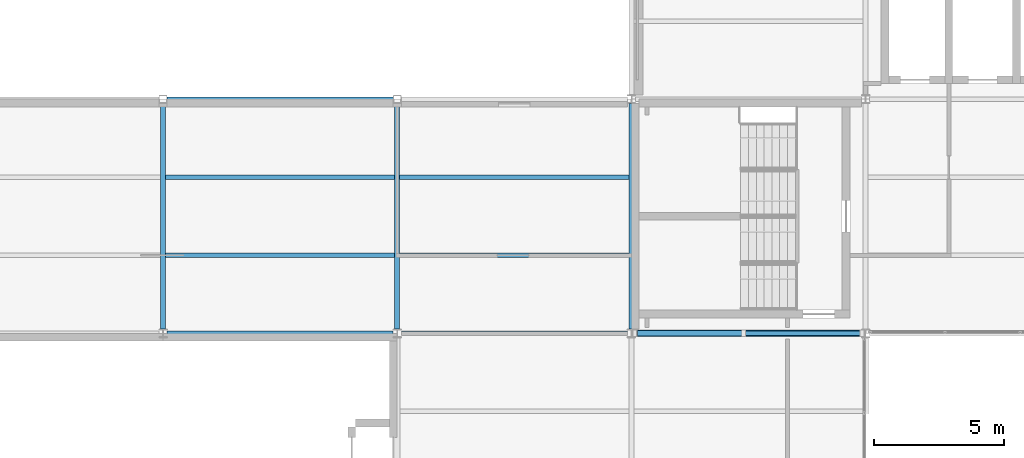
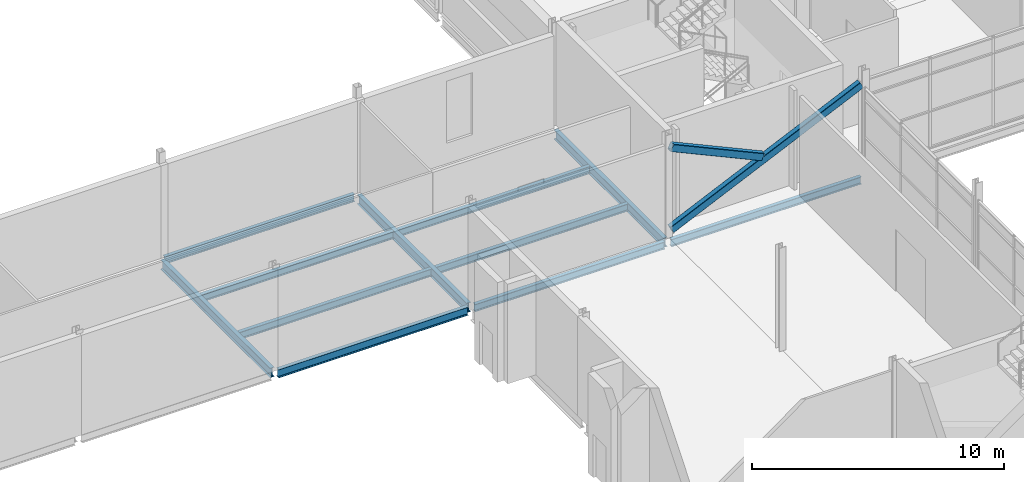
# One storey, part 40 of 112: 11 beams, 2 members.
"""IFC4 building model written with IfcOpenShell, lengths in metres."""

from ifc_helpers import new_model, si_unit, direction, frame, origin, origin_2d, place, context, subcontext, project, spatial, hollow_rectangle, i_section, extrude, material, material_profile, profile_set, type_object, element, save


model = new_model("IFC4")

# Units and contexts
model_context = context("Model", 3, precision=1e-05, world=origin(), true_north=direction((0.0, 1.0)))
body_context = subcontext(model_context, "Body", "Model", "MODEL_VIEW")
ifc_project = project(units=[si_unit("LENGTHUNIT", "METRE"), si_unit("AREAUNIT", "SQUARE_METRE"), si_unit("VOLUMEUNIT", "CUBIC_METRE"), si_unit("PLANEANGLEUNIT", "RADIAN"), si_unit("MASSUNIT", "GRAM", prefix="KILO")], contexts=[model_context])

# Site, building, storey
site_placement = place(None, origin())
site = spatial("IfcSite", under=ifc_project, at=site_placement, CompositionType="ELEMENT")
building_placement = place(site_placement, origin())
building = spatial("IfcBuilding", under=site, at=building_placement, Name="Shorebreak Coast Museum", CompositionType="ELEMENT")
storey_placement = place(building_placement, frame((0.0, 0.0, 6.0)))
storey = spatial("IfcBuildingStorey", under=building, at=storey_placement, Name="L01", CompositionType="ELEMENT", Elevation=6.0)

# Beams
ifc_material_1 = material(Name="Steel Grade 300", Category="steel")
ifc_material_profile_1 = material_profile(ifc_material_1, i_section(OverallWidth=0.1708984375, OverallDepth=0.355712890625, WebThickness=0.00732421875, FlangeThickness=0.011474609375, FilletRadius=0.011474609375, at=origin_2d()), Name="360UB50.7")
ifc_profile_set_1 = profile_set([ifc_material_profile_1], Name="Steel Grade 300")
beam_type_1 = type_object("IfcBeamType", Name="Floor girder east-west 360UB50.7", PredefinedType="BEAM", material=ifc_profile_set_1)
beam_1_placement = place(storey_placement, frame((45.155517578125, 81.0, -0.352783203125), z_axis=(1.0, 0.0, 0.0), x_axis=(0.0, 1.0, 0.0)))
element("IfcBeam", 1, at=beam_1_placement, inside=storey, type_object=beam_type_1, Name="Floor girder east-west L01 6K", PredefinedType="BEAM", context=body_context, shape_type="SweptSolid", body=[
    extrude(i_section(OverallWidth=0.1708984375, OverallDepth=0.355712890625, WebThickness=0.00732421875, FlangeThickness=0.011474609375, FilletRadius=0.011474609375, at=origin_2d()), origin(), (0.0, 0.0, 1.0), 8.68994140625),
])
beam_2_placement = place(storey_placement, frame((36.14990234375, 90.0, -0.352783203125), z_axis=(1.0, 0.0, 0.0), x_axis=(0.0, 1.0, 0.0)))
element("IfcBeam", 2, at=beam_2_placement, inside=storey, type_object=beam_type_1, Name="Floor girder east-west L01 5L", PredefinedType="BEAM", context=body_context, shape_type="SweptSolid", body=[
    extrude(i_section(OverallWidth=0.1708984375, OverallDepth=0.355712890625, WebThickness=0.00732421875, FlangeThickness=0.011474609375, FilletRadius=0.011474609375, at=origin_2d()), origin(), (0.0, 0.0, 1.0), 8.7001953125),
])
ifc_material_2 = material(Name="Steel Grade 300", Category="steel")
ifc_material_profile_2 = material_profile(ifc_material_2, i_section(OverallWidth=0.172119140625, OverallDepth=0.358642578125, WebThickness=0.008056640625, FlangeThickness=0.012939453125, FilletRadius=0.011474609375, at=origin_2d()), Name="360UB56.7")
ifc_profile_set_2 = profile_set([ifc_material_profile_2], Name="Steel Grade 300")
beam_type_2 = type_object("IfcBeamType", Name="Floor girder east-west 360UB56.7", PredefinedType="BEAM", material=ifc_profile_set_2)
beam_3_placement = place(storey_placement, frame((54.154541015625, 81.0, -0.354248046875), z_axis=(1.0, 0.0, 0.0), x_axis=(0.0, 1.0, 0.0)))
element("IfcBeam", 3, at=beam_3_placement, inside=storey, type_object=beam_type_2, Name="Floor girder east-west L01 7K", PredefinedType="BEAM", context=body_context, shape_type="SweptSolid", body=[
    extrude(i_section(OverallWidth=0.172119140625, OverallDepth=0.358642578125, WebThickness=0.008056640625, FlangeThickness=0.012939453125, FilletRadius=0.011474609375, at=origin_2d()), origin(), (0.0, 0.0, 1.0), 8.68994140625),
])
ifc_material_3 = material(Name="Steel Grade 300", Category="steel")
ifc_material_profile_3 = material_profile(ifc_material_3, i_section(OverallWidth=0.177978515625, OverallDepth=0.402587890625, WebThickness=0.007568359375, FlangeThickness=0.010986328125, FilletRadius=0.011474609375, at=origin_2d()), Name="410UB53.7")
ifc_profile_set_3 = profile_set([ifc_material_profile_3], Name="Steel Grade 300")
beam_type_3 = type_object("IfcBeamType", Name="Floor girder east-west 410UB53.7", PredefinedType="BEAM", material=ifc_profile_set_3)
beam_4_placement = place(storey_placement, frame((36.155517578125, 81.0, -0.376220703125), z_axis=(1.0, 0.0, 0.0), x_axis=(0.0, 1.0, 0.0)))
element("IfcBeam", 4, at=beam_4_placement, inside=storey, type_object=beam_type_3, Name="Floor girder east-west L01 5K", PredefinedType="BEAM", context=body_context, shape_type="SweptSolid", body=[
    extrude(i_section(OverallWidth=0.177978515625, OverallDepth=0.402587890625, WebThickness=0.007568359375, FlangeThickness=0.010986328125, FilletRadius=0.011474609375, at=origin_2d()), origin(), (0.0, 0.0, 1.0), 8.68896484375),
])
ifc_material_4 = material(Name="Steel Grade 300", Category="steel")
ifc_material_profile_4 = material_profile(ifc_material_4, i_section(OverallWidth=0.19091796875, OverallDepth=0.46044921875, WebThickness=0.010009765625, FlangeThickness=0.01611328125, FilletRadius=0.011474609375, at=origin_2d()), Name="460UB82.1")
ifc_profile_set_4 = profile_set([ifc_material_profile_4], Name="Steel Grade 300")
beam_type_4 = type_object("IfcBeamType", Name="Floor girder north-south 460UB82.1", PredefinedType="BEAM", material=ifc_profile_set_4)
for number, where, z_axis, x_axis, name in (
    (5, (36.0, 81.16357421875, -0.4052734375), (0.0, 1.0, 0.0), (-1.0, 0.0, 0.0), "Floor girder north-south L01 5K"),
    (6, (45.0, 81.16357421875, -0.4052734375), (0.0, 1.0, 0.0), (-1.0, 0.0, 0.0), "Floor girder north-south L01 6K"),
):
    element("IfcBeam", number, at=place(storey_placement, frame(where, z_axis=z_axis, x_axis=x_axis)), inside=storey, type_object=beam_type_4, Name=name, PredefinedType="BEAM", context=body_context, shape_type="SweptSolid", body=[
        extrude(i_section(OverallWidth=0.19091796875, OverallDepth=0.46044921875, WebThickness=0.010009765625, FlangeThickness=0.01611328125, FilletRadius=0.011474609375, at=origin_2d()), origin(), (0.0, 0.0, 1.0), 8.6865234375),
    ])
beam_5_placement = place(storey_placement, frame((54.0, 81.160400390625, -0.4052734375), z_axis=(0.0, 1.0, 0.0), x_axis=(-1.0, 0.0, 0.0)))
element("IfcBeam", 7, at=beam_5_placement, inside=storey, type_object=beam_type_4, Name="Floor girder north-south L01 7K", PredefinedType="BEAM", context=body_context, shape_type="SweptSolid", body=[
    extrude(i_section(OverallWidth=0.19091796875, OverallDepth=0.46044921875, WebThickness=0.010009765625, FlangeThickness=0.01611328125, FilletRadius=0.011474609375, at=origin_2d()), origin(), (0.0, 0.0, 1.0), 8.676025390625),
])
ifc_material_5 = material(Name="Steel Grade 300", Category="steel")
ifc_material_profile_5 = material_profile(ifc_material_5, i_section(OverallWidth=0.1708984375, OverallDepth=0.355712890625, WebThickness=0.00732421875, FlangeThickness=0.011474609375, FilletRadius=0.011474609375, at=origin_2d()), Name="360UB50.7")
ifc_profile_set_5 = profile_set([ifc_material_profile_5], Name="Steel Grade 300")
beam_type_5 = type_object("IfcBeamType", Name="Floor joist 360UB50.7", PredefinedType="JOIST", material=ifc_profile_set_5)
for number, where, z_axis, x_axis, name in (
    (8, (36.095458984375, 84.0, -0.352783203125), (1.0, 0.0, 0.0), (0.0, 1.0, 0.0), "Floor joist L01 bay 5K at 3000 mm"),
    (9, (36.095458984375, 87.0, -0.352783203125), (1.0, 0.0, 0.0), (0.0, 1.0, 0.0), "Floor joist L01 bay 5K at 6000 mm"),
    (10, (45.095458984375, 84.0, -0.352783203125), (1.0, 0.0, 0.0), (0.0, 1.0, 0.0), "Floor joist L01 bay 6K at 3000 mm"),
    (11, (45.095458984375, 87.0, -0.352783203125), (1.0, 0.0, 0.0), (0.0, 1.0, 0.0), "Floor joist L01 bay 6K at 6000 mm"),
):
    element("IfcBeam", number, at=place(storey_placement, frame(where, z_axis=z_axis, x_axis=x_axis)), inside=storey, type_object=beam_type_5, Name=name, PredefinedType="JOIST", context=body_context, shape_type="SweptSolid", body=[
        extrude(i_section(OverallWidth=0.1708984375, OverallDepth=0.355712890625, WebThickness=0.00732421875, FlangeThickness=0.011474609375, FilletRadius=0.011474609375, at=origin_2d()), origin(), (0.0, 0.0, 1.0), 8.80908203125),
    ])

# Members
ifc_material_6 = material(Name="Steel Grade C450L0", Category="steel")
ifc_material_profile_6 = material_profile(ifc_material_6, hollow_rectangle(XDim=0.25, YDim=0.35009765625, WallThickness=0.012451171875, InnerFilletRadius=0.018798828125, OuterFilletRadius=0.03125, at=origin_2d()), Name="350x250x12.5 RHS")
ifc_profile_set_6 = profile_set([ifc_material_profile_6], Name="Steel Grade C450L0")
member_type = type_object("IfcMemberType", Name="X-brace 350x250x12.5 RHS", PredefinedType="BRACE", material=ifc_profile_set_6)
member_1_placement = place(storey_placement, frame((54.154541015625, 81.0, 0.300048828125), z_axis=(0.909383092175, 0.0, 0.415959603408), x_axis=(0.0, 1.0, 0.0)))
element("IfcMember", 12, at=member_1_placement, inside=storey, type_object=member_type, Name="X-brace bay 03 L01 diagonal 1", PredefinedType="BRACE", context=body_context, shape_type="SweptSolid", body=[
    extrude(hollow_rectangle(XDim=0.25, YDim=0.35009765625, WallThickness=0.012451171875, InnerFilletRadius=0.018798828125, OuterFilletRadius=0.03125, at=origin_2d()), origin(), (0.0, 0.0, 1.0), 9.555908203125),
])
member_2_placement = place(storey_placement, frame((58.313232421875, 81.0, 2.372802734375), z_axis=(-0.909393134125, 0.0, 0.415937648701), x_axis=(0.0, -1.0, 0.0)))
element("IfcMember", 13, at=member_2_placement, inside=storey, type_object=member_type, Name="X-brace bay 03 L01 diagonal 2", PredefinedType="BRACE", context=body_context, shape_type="SweptSolid", body=[
    extrude(hollow_rectangle(XDim=0.25, YDim=0.35009765625, WallThickness=0.012451171875, InnerFilletRadius=0.018798828125, OuterFilletRadius=0.03125, at=origin_2d()), origin(), (0.0, 0.0, 1.0), 4.572998046875),
])

save(model, "model.ifc")
